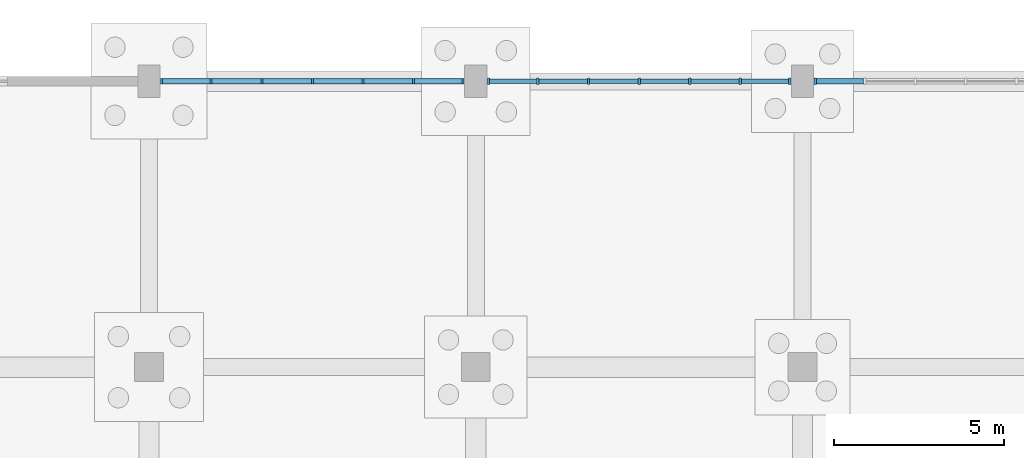
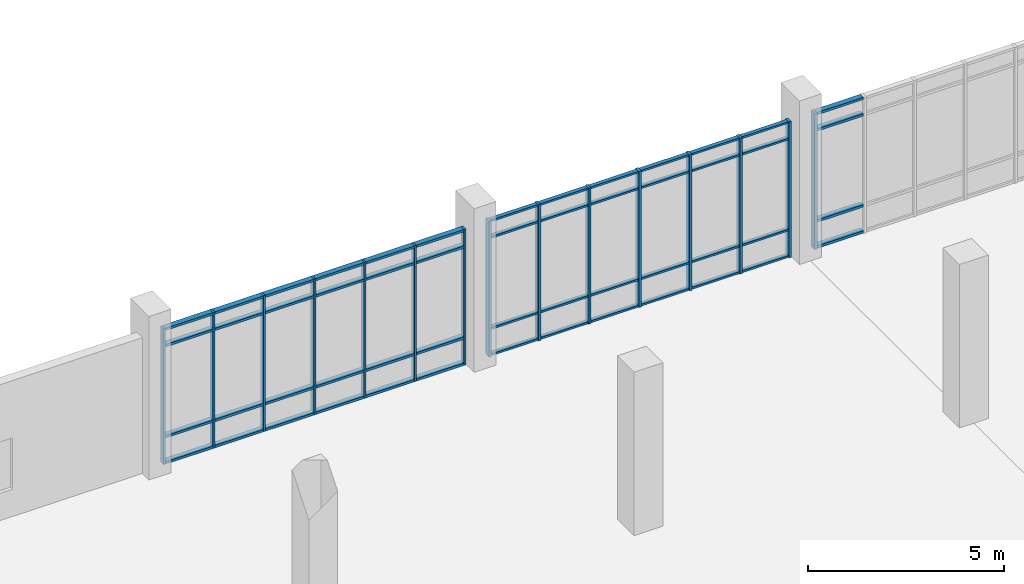
# One storey, part 67 of 136: 67 members, 3 elements without a shape of their own.
"""IFC4 building model written with IfcOpenShell, lengths in metres."""

import ifcopenshell
import ifcopenshell.guid

model = None  # the IFC model being written
_history = None  # IfcOwnerHistory: only IFC2X3 demands one
_inside = {}  # id of a spatial element -> (the spatial element, [elements in it])
_under = {}  # id of a project, library or spatial element -> (it, [spatial elements below it])
_declared = {}  # id of a project -> (the project, [libraries it declares])
_typed = {}  # id of a type object -> (the type object, [elements of that type])
_made_of = {}  # id of a material, layer set ... -> (it, [elements and type objects made of it])


def new_model(schema):
    """Start an empty IFC model of exactly this schema.

    Asked for "IFC4X3", IfcOpenShell would pick the latest addendum, in which some entities
    have other attributes; the version numbers below select the first issue.
    IFC2X3 requires an IfcOwnerHistory on every rooted entity: one is made here for all.
    """
    global model, _history
    if schema == "IFC4X3":
        model = ifcopenshell.file(schema_version=(4, 3, 0, 0))
    else:
        model = ifcopenshell.file(schema=schema)
    _inside.clear()
    _under.clear()
    _declared.clear()
    _typed.clear()
    _made_of.clear()
    _history = None
    if model.schema == "IFC2X3":
        org = make("IfcOrganization", Name="unknown")
        user = make(
            "IfcPersonAndOrganization",
            ThePerson=make("IfcPerson", FamilyName="unknown"),
            TheOrganization=org,
        )
        app = make(
            "IfcApplication",
            ApplicationDeveloper=org,
            Version="unknown",
            ApplicationFullName="unknown",
            ApplicationIdentifier="unknown",
        )
        _history = make(
            "IfcOwnerHistory",
            OwningUser=user,
            OwningApplication=app,
            ChangeAction="ADDED",
            CreationDate=0,
        )
    return model


def make(cls, **values):
    """One entity of the class cls with the attributes given. An attribute that is None is left unset."""
    return model.create_entity(
        cls, **{name: value for name, value in values.items() if value is not None}
    )


def rooted(cls, **values):
    """An entity with a GlobalId (a new one), such as an element, a storey or a relation."""
    return make(cls, GlobalId=ifcopenshell.guid.new(), OwnerHistory=_history, **values)


def si_unit(unit_type, name, prefix=None):
    """IfcSIUnit, for example si_unit("LENGTHUNIT", "METRE", prefix="MILLI")."""
    return make("IfcSIUnit", UnitType=unit_type, Prefix=prefix, Name=name)


def assignment(units):
    """IfcUnitAssignment: the units of a project."""
    return None if units is None else make("IfcUnitAssignment", Units=units)


def point(xyz):
    """IfcCartesianPoint."""
    return None if xyz is None else make("IfcCartesianPoint", Coordinates=xyz)


def direction(xyz):
    """IfcDirection."""
    return None if xyz is None else make("IfcDirection", DirectionRatios=xyz)


def frame(location, z_axis=None, x_axis=None):
    """IfcAxis2Placement3D, a coordinate frame: its origin and axes. An axis left out is left unset."""
    return make(
        "IfcAxis2Placement3D",
        Location=point(location),
        Axis=direction(z_axis),
        RefDirection=direction(x_axis),
    )


def frame_2d(location, x_axis=None):
    """IfcAxis2Placement2D, a coordinate frame in the plane: its origin and x axis."""
    return make(
        "IfcAxis2Placement2D", Location=point(location), RefDirection=direction(x_axis)
    )


def origin():
    """The frame at (0, 0, 0) with its axes left unset."""
    return frame((0.0, 0.0, 0.0))


def origin_2d():
    """The frame at (0, 0) in the plane with its x axis left unset."""
    return frame_2d((0.0, 0.0))


def place(relative_to, where):
    """IfcLocalPlacement: puts the frame where relative to a parent placement (None: the world)."""
    return make(
        "IfcLocalPlacement", PlacementRelTo=relative_to, RelativePlacement=where
    )


def context(
    kind, dimensions, precision=None, world=None, true_north=None, identifier=None
):
    """IfcGeometricRepresentationContext, for example the 3D "Model" context."""
    return make(
        "IfcGeometricRepresentationContext",
        ContextIdentifier=identifier,
        ContextType=kind,
        CoordinateSpaceDimension=dimensions,
        Precision=precision,
        WorldCoordinateSystem=world,
        TrueNorth=true_north,
    )


def subcontext(parent, identifier, kind, view, scale=None):
    """IfcGeometricRepresentationSubContext, for example "Body" below "Model"."""
    return make(
        "IfcGeometricRepresentationSubContext",
        ContextIdentifier=identifier,
        ContextType=kind,
        ParentContext=parent,
        TargetScale=scale,
        TargetView=view,
    )


def project(units=None, contexts=None):
    """IfcProject with its units and contexts."""
    return rooted(
        "IfcProject",
        Name="project",
        RepresentationContexts=contexts,
        UnitsInContext=assignment(units),
    )


def spatial(cls, under=None, at=None, **own):
    """A site, building, storey or space (cls), placed at a placement, below another one or the project."""
    s = rooted(cls, ObjectPlacement=at, **own)
    if under is not None:
        _under.setdefault(under.id(), (under, []))[1].append(s)
    return s


def profile(cls, at=None, kind="AREA", **sizes):
    """A parametric profile (cls). Its sizes go by their IFC names, for example OverallWidth=200.0."""
    return make(cls, ProfileType=kind, Position=at, **sizes)


def rectangle(**sizes):
    """IfcRectangleProfileDef."""
    return profile("IfcRectangleProfileDef", **sizes)


def extrude(swept, where, along, depth):
    """IfcExtrudedAreaSolid: the profile swept, set in the frame where, extruded along a direction by depth."""
    return make(
        "IfcExtrudedAreaSolid",
        SweptArea=swept,
        Position=where,
        ExtrudedDirection=direction(along),
        Depth=depth,
    )


def shape(context_of_items, identifier, shape_type, items):
    """IfcShapeRepresentation: the items that make up one representation, for example the "Body"."""
    return make(
        "IfcShapeRepresentation",
        ContextOfItems=context_of_items,
        RepresentationIdentifier=identifier,
        RepresentationType=shape_type,
        Items=items,
    )


def material(Name=None, Category=None):
    """IfcMaterial."""
    return make("IfcMaterial", Name=Name, Category=Category)


def material_profile(
    of_material, cross_section, Name=None, Category=None, Priority=None
):
    """IfcMaterialProfile: a cross section and its material."""
    return make(
        "IfcMaterialProfile",
        Name=Name,
        Material=of_material,
        Profile=cross_section,
        Priority=Priority,
        Category=Category,
    )


def profile_set(profiles, Name=None, composite=None):
    """IfcMaterialProfileSet."""
    return make(
        "IfcMaterialProfileSet",
        Name=Name,
        MaterialProfiles=profiles,
        CompositeProfile=composite,
    )


def made_of(thing, what):
    """Note that an element or type object is made of a material, layer set ...; save() writes the relation."""
    if what is not None:
        _made_of.setdefault(what.id(), (what, []))[1].append(thing)
    return thing


def type_object(cls, material=None, **own):
    """A type object (cls), such as IfcWallType, which elements share."""
    return made_of(rooted(cls, **own), material)


def element(
    cls,
    number,
    at=None,
    inside=None,
    cuts=None,
    type_object=None,
    material=None,
    context=None,
    identifier="Body",
    shape_type=None,
    held_by="IfcProductDefinitionShape",
    body=None,
    shapes=None,
    **own,
):
    """One element of the class cls, such as IfcWall. Its Tag is "e" and its number.

    at: its placement. inside: the storey or other place that contains it. cuts: it is an
    opening in that element (IfcRelVoidsElement). A single representation is given by context,
    identifier, shape_type and body (its items); several are given by shapes. held_by: the class
    of the entity that holds the representations. save() writes the other relations.
    """
    e = rooted(cls, Tag="e%d" % number, ObjectPlacement=at, **own)
    if body is not None:
        shapes = [shape(context, identifier, shape_type, body)]
    if shapes is not None:
        e.Representation = make(held_by, Representations=shapes)
    if inside is not None:
        _inside.setdefault(inside.id(), (inside, []))[1].append(e)
    if cuts is not None:
        rooted(
            "IfcRelVoidsElement", RelatingBuildingElement=cuts, RelatedOpeningElement=e
        )
    if type_object is not None:
        _typed.setdefault(type_object.id(), (type_object, []))[1].append(e)
    return made_of(e, material)


def aggregate(whole, parts):
    """IfcRelAggregates: a whole, such as a stair, and the parts it consists of."""
    return rooted("IfcRelAggregates", RelatingObject=whole, RelatedObjects=parts)


def save(model, path):
    """Write the relations noted so far, then the file.

    IfcRelAggregates (storeys below a building ...), IfcRelContainedInSpatialStructure (elements
    in a storey), IfcRelDefinesByType, IfcRelAssociatesMaterial and IfcRelDeclares: one each for
    every whole, place, type object, material and project.
    """
    for whole, parts in _under.values():
        aggregate(whole, parts)
    for where, things in _inside.values():
        rooted(
            "IfcRelContainedInSpatialStructure",
            RelatedElements=things,
            RelatingStructure=where,
        )
    for kind, things in _typed.values():
        rooted("IfcRelDefinesByType", RelatedObjects=things, RelatingType=kind)
    for what, things in _made_of.values():
        rooted("IfcRelAssociatesMaterial", RelatedObjects=things, RelatingMaterial=what)
    for by, libraries in _declared.values():
        rooted("IfcRelDeclares", RelatingContext=by, RelatedDefinitions=libraries)
    model.write(path)


model = new_model("IFC4")

# Units and contexts
model_context = context("Model", 3, precision=1e-05, world=origin(), true_north=direction((0.0, 1.0)))
body_context = subcontext(model_context, "Body", "Model", "MODEL_VIEW")
ifc_project = project(units=[si_unit("LENGTHUNIT", "METRE"), si_unit("AREAUNIT", "SQUARE_METRE"), si_unit("VOLUMEUNIT", "CUBIC_METRE"), si_unit("PLANEANGLEUNIT", "RADIAN"), si_unit("MASSUNIT", "GRAM", prefix="KILO")], contexts=[model_context])

# Site, building, storey
site_placement = place(None, origin())
site = spatial("IfcSite", under=ifc_project, at=site_placement, CompositionType="ELEMENT")
building_placement = place(site_placement, origin())
building = spatial("IfcBuilding", under=site, at=building_placement, Name="Oolite Switchyard Hospital", CompositionType="ELEMENT")
storey_placement = place(building_placement, origin())
storey = spatial("IfcBuildingStorey", under=building, at=storey_placement, Name="L00", CompositionType="ELEMENT", Elevation=0.0)

# Curtain wall, members
ifc_material_1 = material(Name="Thermally broken aluminum frame with laminated impact glazing", Category="aluminium")
curtain_wall_type = type_object("IfcCurtainWallType", Name="CW-UNIT-96X51", PredefinedType="USERDEFINED", material=ifc_material_1)
curtain_wall_1_placement = place(storey_placement, origin())
curtain_wall_1 = element("IfcCurtainWall", 1, at=curtain_wall_1_placement, inside=storey, type_object=curtain_wall_type, Name="L00 Unitised Curtain Wall 45", ObjectType="UNITISED", PredefinedType="USERDEFINED")
ifc_material_2 = material(Name="Aluminium 6063-T6", Category="aluminium")
ifc_material_profile_1 = material_profile(ifc_material_2, rectangle(XDim=0.159912109375, YDim=0.06005859375, at=origin_2d()), Name="CWM60X160")
ifc_profile_set_1 = profile_set([ifc_material_profile_1], Name="Aluminium 6063-T6")
member_type_1 = type_object("IfcMemberType", Name="CW-MUL-180", PredefinedType="MULLION", material=ifc_profile_set_1)
member_1_placement = place(storey_placement, frame((9.969970703125, 134.39990234375, 0.0), z_axis=(0.0, 0.0, 1.0), x_axis=(0.0, 1.0, 0.0)))
member_1 = element("IfcMember", 2, at=member_1_placement, type_object=member_type_1, Name="CW-01 mullion 1", PredefinedType="MULLION", context=body_context, shape_type="SweptSolid", body=[
    extrude(rectangle(XDim=0.159912109375, YDim=0.06005859375, at=origin_2d()), origin(), (0.0, 0.0, 1.0), 4.239990234375),
])
member_2_placement = place(storey_placement, frame((11.4267578125, 134.39990234375, 0.0), z_axis=(0.0, 0.0, 1.0), x_axis=(0.0, 1.0, 0.0)))
member_2 = element("IfcMember", 3, at=member_2_placement, type_object=member_type_1, Name="CW-01 mullion 2", PredefinedType="MULLION", context=body_context, shape_type="SweptSolid", body=[
    extrude(rectangle(XDim=0.159912109375, YDim=0.06005859375, at=origin_2d()), origin(), (0.0, 0.0, 1.0), 4.239990234375),
])
member_3_placement = place(storey_placement, frame((12.913330078125, 134.39990234375, 0.0), z_axis=(0.0, 0.0, 1.0), x_axis=(0.0, 1.0, 0.0)))
member_3 = element("IfcMember", 4, at=member_3_placement, type_object=member_type_1, Name="CW-01 mullion 3", PredefinedType="MULLION", context=body_context, shape_type="SweptSolid", body=[
    extrude(rectangle(XDim=0.159912109375, YDim=0.06005859375, at=origin_2d()), origin(), (0.0, 0.0, 1.0), 4.239990234375),
])
member_4_placement = place(storey_placement, frame((14.39990234375, 134.39990234375, 0.0), z_axis=(0.0, 0.0, 1.0), x_axis=(0.0, 1.0, 0.0)))
member_4 = element("IfcMember", 5, at=member_4_placement, type_object=member_type_1, Name="CW-01 mullion 4", PredefinedType="MULLION", context=body_context, shape_type="SweptSolid", body=[
    extrude(rectangle(XDim=0.159912109375, YDim=0.06005859375, at=origin_2d()), origin(), (0.0, 0.0, 1.0), 4.239990234375),
])
member_5_placement = place(storey_placement, frame((15.88671875, 134.39990234375, 0.0), z_axis=(0.0, 0.0, 1.0), x_axis=(0.0, 1.0, 0.0)))
member_5 = element("IfcMember", 6, at=member_5_placement, type_object=member_type_1, Name="CW-01 mullion 5", PredefinedType="MULLION", context=body_context, shape_type="SweptSolid", body=[
    extrude(rectangle(XDim=0.159912109375, YDim=0.06005859375, at=origin_2d()), origin(), (0.0, 0.0, 1.0), 4.239990234375),
])
member_6_placement = place(storey_placement, frame((17.373291015625, 134.39990234375, 0.0), z_axis=(0.0, 0.0, 1.0), x_axis=(0.0, 1.0, 0.0)))
member_6 = element("IfcMember", 7, at=member_6_placement, type_object=member_type_1, Name="CW-01 mullion 6", PredefinedType="MULLION", context=body_context, shape_type="SweptSolid", body=[
    extrude(rectangle(XDim=0.159912109375, YDim=0.06005859375, at=origin_2d()), origin(), (0.0, 0.0, 1.0), 4.239990234375),
])
member_7_placement = place(storey_placement, frame((18.830078125, 134.39990234375, 0.0), z_axis=(0.0, 0.0, 1.0), x_axis=(0.0, 1.0, 0.0)))
member_7 = element("IfcMember", 8, at=member_7_placement, type_object=member_type_1, Name="CW-01 mullion 7", PredefinedType="MULLION", context=body_context, shape_type="SweptSolid", body=[
    extrude(rectangle(XDim=0.159912109375, YDim=0.06005859375, at=origin_2d()), origin(), (0.0, 0.0, 1.0), 4.239990234375),
])

curtain_wall_2_placement = place(storey_placement, origin())
curtain_wall_2 = element("IfcCurtainWall", 9, at=curtain_wall_2_placement, inside=storey, type_object=curtain_wall_type, Name="L00 Unitised Curtain Wall 46", ObjectType="UNITISED", PredefinedType="USERDEFINED")
ifc_material_profile_2 = material_profile(ifc_material_2, rectangle(XDim=0.179931640625, YDim=0.070068359375, at=origin_2d()), Name="CWM70X180")
ifc_profile_set_2 = profile_set([ifc_material_profile_2], Name="Aluminium 6063-T6")
member_type_2 = type_object("IfcMemberType", Name="CW-MUL-220", PredefinedType="MULLION", material=ifc_profile_set_2)
member_8_placement = place(storey_placement, frame((19.574951171875, 134.39990234375, 0.0), z_axis=(0.0, 0.0, 1.0), x_axis=(0.0, 1.0, 0.0)))
member_8 = element("IfcMember", 10, at=member_8_placement, type_object=member_type_2, Name="CW-01 mullion 1", PredefinedType="MULLION", context=body_context, shape_type="SweptSolid", body=[
    extrude(rectangle(XDim=0.179931640625, YDim=0.070068359375, at=origin_2d()), origin(), (0.0, 0.0, 1.0), 4.239990234375),
])
member_9_placement = place(storey_placement, frame((21.026611328125, 134.39990234375, 0.0), z_axis=(0.0, 0.0, 1.0), x_axis=(0.0, 1.0, 0.0)))
member_9 = element("IfcMember", 11, at=member_9_placement, type_object=member_type_2, Name="CW-01 mullion 2", PredefinedType="MULLION", context=body_context, shape_type="SweptSolid", body=[
    extrude(rectangle(XDim=0.179931640625, YDim=0.070068359375, at=origin_2d()), origin(), (0.0, 0.0, 1.0), 4.239990234375),
])
member_10_placement = place(storey_placement, frame((22.513427734375, 134.39990234375, 0.0), z_axis=(0.0, 0.0, 1.0), x_axis=(0.0, 1.0, 0.0)))
member_10 = element("IfcMember", 12, at=member_10_placement, type_object=member_type_2, Name="CW-01 mullion 3", PredefinedType="MULLION", context=body_context, shape_type="SweptSolid", body=[
    extrude(rectangle(XDim=0.179931640625, YDim=0.070068359375, at=origin_2d()), origin(), (0.0, 0.0, 1.0), 4.239990234375),
])
member_11_placement = place(storey_placement, frame((24.0, 134.39990234375, 0.0), z_axis=(0.0, 0.0, 1.0), x_axis=(0.0, 1.0, 0.0)))
member_11 = element("IfcMember", 13, at=member_11_placement, type_object=member_type_2, Name="CW-01 mullion 4", PredefinedType="MULLION", context=body_context, shape_type="SweptSolid", body=[
    extrude(rectangle(XDim=0.179931640625, YDim=0.070068359375, at=origin_2d()), origin(), (0.0, 0.0, 1.0), 4.239990234375),
])
member_12_placement = place(storey_placement, frame((25.486572265625, 134.39990234375, 0.0), z_axis=(0.0, 0.0, 1.0), x_axis=(0.0, 1.0, 0.0)))
member_12 = element("IfcMember", 14, at=member_12_placement, type_object=member_type_2, Name="CW-01 mullion 5", PredefinedType="MULLION", context=body_context, shape_type="SweptSolid", body=[
    extrude(rectangle(XDim=0.179931640625, YDim=0.070068359375, at=origin_2d()), origin(), (0.0, 0.0, 1.0), 4.239990234375),
])
member_13_placement = place(storey_placement, frame((26.973388671875, 134.39990234375, 0.0), z_axis=(0.0, 0.0, 1.0), x_axis=(0.0, 1.0, 0.0)))
member_13 = element("IfcMember", 15, at=member_13_placement, type_object=member_type_2, Name="CW-01 mullion 6", PredefinedType="MULLION", context=body_context, shape_type="SweptSolid", body=[
    extrude(rectangle(XDim=0.179931640625, YDim=0.070068359375, at=origin_2d()), origin(), (0.0, 0.0, 1.0), 4.239990234375),
])
member_14_placement = place(storey_placement, frame((28.425048828125, 134.39990234375, 0.0), z_axis=(0.0, 0.0, 1.0), x_axis=(0.0, 1.0, 0.0)))
member_14 = element("IfcMember", 16, at=member_14_placement, type_object=member_type_2, Name="CW-01 mullion 7", PredefinedType="MULLION", context=body_context, shape_type="SweptSolid", body=[
    extrude(rectangle(XDim=0.179931640625, YDim=0.070068359375, at=origin_2d()), origin(), (0.0, 0.0, 1.0), 4.239990234375),
])

# Curtain wall, member
curtain_wall_3_placement = place(storey_placement, origin())
curtain_wall_3 = element("IfcCurtainWall", 17, at=curtain_wall_3_placement, inside=storey, type_object=curtain_wall_type, Name="L00 Unitised Curtain Wall 47", ObjectType="UNITISED", PredefinedType="USERDEFINED")
ifc_material_profile_3 = material_profile(ifc_material_2, rectangle(XDim=0.199951171875, YDim=0.074951171875, at=origin_2d()), Name="CWM75X200")
ifc_profile_set_3 = profile_set([ifc_material_profile_3], Name="Aluminium 6063-T6")
member_type_3 = type_object("IfcMemberType", Name="CW-MUL-260", PredefinedType="MULLION", material=ifc_profile_set_3)
member_15_placement = place(storey_placement, frame((29.177490234375, 134.39990234375, 0.0), z_axis=(0.0, 0.0, 1.0), x_axis=(0.0, 1.0, 0.0)))
member_15 = element("IfcMember", 18, at=member_15_placement, type_object=member_type_3, Name="CW-01 mullion 1", PredefinedType="MULLION", context=body_context, shape_type="SweptSolid", body=[
    extrude(rectangle(XDim=0.199951171875, YDim=0.074951171875, at=origin_2d()), origin(), (0.0, 0.0, 1.0), 4.239990234375),
])

# Member
ifc_material_profile_4 = material_profile(ifc_material_2, rectangle(XDim=0.1201171875, YDim=0.06005859375, at=origin_2d()), Name="CWT60X120")
ifc_profile_set_4 = profile_set([ifc_material_profile_4], Name="Aluminium 6063-T6")
member_type_4 = type_object("IfcMemberType", Name="CW-TRN-150", PredefinedType="USERDEFINED", material=ifc_profile_set_4)
member_16_placement = place(storey_placement, frame((19.610107421875, 134.39990234375, 0.030029296875), z_axis=(1.0, 0.0, 0.0), x_axis=(0.0, 1.0, 0.0)))
member_16 = element("IfcMember", 19, at=member_16_placement, type_object=member_type_4, Name="CW-01 transom 1.1", ObjectType="TRANSOM", PredefinedType="USERDEFINED", context=body_context, shape_type="SweptSolid", body=[
    extrude(rectangle(XDim=0.1201171875, YDim=0.06005859375, at=origin_2d()), origin(), (0.0, 0.0, 1.0), 1.381591796875),
])

member_17_placement = place(storey_placement, frame((19.610107421875, 134.39990234375, 0.85009765625), z_axis=(1.0, 0.0, 0.0), x_axis=(0.0, 1.0, 0.0)))
member_17 = element("IfcMember", 20, at=member_17_placement, type_object=member_type_4, Name="CW-01 transom 1.2", ObjectType="TRANSOM", PredefinedType="USERDEFINED", context=body_context, shape_type="SweptSolid", body=[
    extrude(rectangle(XDim=0.1201171875, YDim=0.06005859375, at=origin_2d()), origin(), (0.0, 0.0, 1.0), 1.381591796875),
])

member_18_placement = place(storey_placement, frame((19.610107421875, 134.39990234375, 3.68994140625), z_axis=(1.0, 0.0, 0.0), x_axis=(0.0, 1.0, 0.0)))
member_18 = element("IfcMember", 21, at=member_18_placement, type_object=member_type_4, Name="CW-01 transom 1.3", ObjectType="TRANSOM", PredefinedType="USERDEFINED", context=body_context, shape_type="SweptSolid", body=[
    extrude(rectangle(XDim=0.1201171875, YDim=0.06005859375, at=origin_2d()), origin(), (0.0, 0.0, 1.0), 1.381591796875),
])

member_19_placement = place(storey_placement, frame((19.610107421875, 134.39990234375, 4.2099609375), z_axis=(1.0, 0.0, 0.0), x_axis=(0.0, 1.0, 0.0)))
member_19 = element("IfcMember", 22, at=member_19_placement, type_object=member_type_4, Name="CW-01 transom 1.4", ObjectType="TRANSOM", PredefinedType="USERDEFINED", context=body_context, shape_type="SweptSolid", body=[
    extrude(rectangle(XDim=0.1201171875, YDim=0.06005859375, at=origin_2d()), origin(), (0.0, 0.0, 1.0), 1.381591796875),
])

member_20_placement = place(storey_placement, frame((21.061767578125, 134.39990234375, 0.030029296875), z_axis=(1.0, 0.0, 0.0), x_axis=(0.0, 1.0, 0.0)))
member_20 = element("IfcMember", 23, at=member_20_placement, type_object=member_type_4, Name="CW-01 transom 2.1", ObjectType="TRANSOM", PredefinedType="USERDEFINED", context=body_context, shape_type="SweptSolid", body=[
    extrude(rectangle(XDim=0.1201171875, YDim=0.06005859375, at=origin_2d()), origin(), (0.0, 0.0, 1.0), 1.41650390625),
])

member_21_placement = place(storey_placement, frame((21.061767578125, 134.39990234375, 0.85009765625), z_axis=(1.0, 0.0, 0.0), x_axis=(0.0, 1.0, 0.0)))
member_21 = element("IfcMember", 24, at=member_21_placement, type_object=member_type_4, Name="CW-01 transom 2.2", ObjectType="TRANSOM", PredefinedType="USERDEFINED", context=body_context, shape_type="SweptSolid", body=[
    extrude(rectangle(XDim=0.1201171875, YDim=0.06005859375, at=origin_2d()), origin(), (0.0, 0.0, 1.0), 1.41650390625),
])

member_22_placement = place(storey_placement, frame((21.061767578125, 134.39990234375, 3.68994140625), z_axis=(1.0, 0.0, 0.0), x_axis=(0.0, 1.0, 0.0)))
member_22 = element("IfcMember", 25, at=member_22_placement, type_object=member_type_4, Name="CW-01 transom 2.3", ObjectType="TRANSOM", PredefinedType="USERDEFINED", context=body_context, shape_type="SweptSolid", body=[
    extrude(rectangle(XDim=0.1201171875, YDim=0.06005859375, at=origin_2d()), origin(), (0.0, 0.0, 1.0), 1.41650390625),
])

member_23_placement = place(storey_placement, frame((21.061767578125, 134.39990234375, 4.2099609375), z_axis=(1.0, 0.0, 0.0), x_axis=(0.0, 1.0, 0.0)))
member_23 = element("IfcMember", 26, at=member_23_placement, type_object=member_type_4, Name="CW-01 transom 2.4", ObjectType="TRANSOM", PredefinedType="USERDEFINED", context=body_context, shape_type="SweptSolid", body=[
    extrude(rectangle(XDim=0.1201171875, YDim=0.06005859375, at=origin_2d()), origin(), (0.0, 0.0, 1.0), 1.41650390625),
])

member_24_placement = place(storey_placement, frame((22.54833984375, 134.39990234375, 0.030029296875), z_axis=(1.0, 0.0, 0.0), x_axis=(0.0, 1.0, 0.0)))
member_24 = element("IfcMember", 27, at=member_24_placement, type_object=member_type_4, Name="CW-01 transom 3.1", ObjectType="TRANSOM", PredefinedType="USERDEFINED", context=body_context, shape_type="SweptSolid", body=[
    extrude(rectangle(XDim=0.1201171875, YDim=0.06005859375, at=origin_2d()), origin(), (0.0, 0.0, 1.0), 1.416748046875),
])

member_25_placement = place(storey_placement, frame((22.54833984375, 134.39990234375, 0.85009765625), z_axis=(1.0, 0.0, 0.0), x_axis=(0.0, 1.0, 0.0)))
member_25 = element("IfcMember", 28, at=member_25_placement, type_object=member_type_4, Name="CW-01 transom 3.2", ObjectType="TRANSOM", PredefinedType="USERDEFINED", context=body_context, shape_type="SweptSolid", body=[
    extrude(rectangle(XDim=0.1201171875, YDim=0.06005859375, at=origin_2d()), origin(), (0.0, 0.0, 1.0), 1.416748046875),
])

member_26_placement = place(storey_placement, frame((22.54833984375, 134.39990234375, 3.68994140625), z_axis=(1.0, 0.0, 0.0), x_axis=(0.0, 1.0, 0.0)))
member_26 = element("IfcMember", 29, at=member_26_placement, type_object=member_type_4, Name="CW-01 transom 3.3", ObjectType="TRANSOM", PredefinedType="USERDEFINED", context=body_context, shape_type="SweptSolid", body=[
    extrude(rectangle(XDim=0.1201171875, YDim=0.06005859375, at=origin_2d()), origin(), (0.0, 0.0, 1.0), 1.416748046875),
])

member_27_placement = place(storey_placement, frame((22.54833984375, 134.39990234375, 4.2099609375), z_axis=(1.0, 0.0, 0.0), x_axis=(0.0, 1.0, 0.0)))
member_27 = element("IfcMember", 30, at=member_27_placement, type_object=member_type_4, Name="CW-01 transom 3.4", ObjectType="TRANSOM", PredefinedType="USERDEFINED", context=body_context, shape_type="SweptSolid", body=[
    extrude(rectangle(XDim=0.1201171875, YDim=0.06005859375, at=origin_2d()), origin(), (0.0, 0.0, 1.0), 1.416748046875),
])

member_28_placement = place(storey_placement, frame((24.034912109375, 134.39990234375, 0.030029296875), z_axis=(1.0, 0.0, 0.0), x_axis=(0.0, 1.0, 0.0)))
member_28 = element("IfcMember", 31, at=member_28_placement, type_object=member_type_4, Name="CW-01 transom 4.1", ObjectType="TRANSOM", PredefinedType="USERDEFINED", context=body_context, shape_type="SweptSolid", body=[
    extrude(rectangle(XDim=0.1201171875, YDim=0.06005859375, at=origin_2d()), origin(), (0.0, 0.0, 1.0), 1.416748046875),
])

member_29_placement = place(storey_placement, frame((24.034912109375, 134.39990234375, 0.85009765625), z_axis=(1.0, 0.0, 0.0), x_axis=(0.0, 1.0, 0.0)))
member_29 = element("IfcMember", 32, at=member_29_placement, type_object=member_type_4, Name="CW-01 transom 4.2", ObjectType="TRANSOM", PredefinedType="USERDEFINED", context=body_context, shape_type="SweptSolid", body=[
    extrude(rectangle(XDim=0.1201171875, YDim=0.06005859375, at=origin_2d()), origin(), (0.0, 0.0, 1.0), 1.416748046875),
])

member_30_placement = place(storey_placement, frame((24.034912109375, 134.39990234375, 3.68994140625), z_axis=(1.0, 0.0, 0.0), x_axis=(0.0, 1.0, 0.0)))
member_30 = element("IfcMember", 33, at=member_30_placement, type_object=member_type_4, Name="CW-01 transom 4.3", ObjectType="TRANSOM", PredefinedType="USERDEFINED", context=body_context, shape_type="SweptSolid", body=[
    extrude(rectangle(XDim=0.1201171875, YDim=0.06005859375, at=origin_2d()), origin(), (0.0, 0.0, 1.0), 1.416748046875),
])

member_31_placement = place(storey_placement, frame((24.034912109375, 134.39990234375, 4.2099609375), z_axis=(1.0, 0.0, 0.0), x_axis=(0.0, 1.0, 0.0)))
member_31 = element("IfcMember", 34, at=member_31_placement, type_object=member_type_4, Name="CW-01 transom 4.4", ObjectType="TRANSOM", PredefinedType="USERDEFINED", context=body_context, shape_type="SweptSolid", body=[
    extrude(rectangle(XDim=0.1201171875, YDim=0.06005859375, at=origin_2d()), origin(), (0.0, 0.0, 1.0), 1.416748046875),
])

member_32_placement = place(storey_placement, frame((25.521728515625, 134.39990234375, 0.030029296875), z_axis=(1.0, 0.0, 0.0), x_axis=(0.0, 1.0, 0.0)))
member_32 = element("IfcMember", 35, at=member_32_placement, type_object=member_type_4, Name="CW-01 transom 5.1", ObjectType="TRANSOM", PredefinedType="USERDEFINED", context=body_context, shape_type="SweptSolid", body=[
    extrude(rectangle(XDim=0.1201171875, YDim=0.06005859375, at=origin_2d()), origin(), (0.0, 0.0, 1.0), 1.41650390625),
])

member_33_placement = place(storey_placement, frame((25.521728515625, 134.39990234375, 0.85009765625), z_axis=(1.0, 0.0, 0.0), x_axis=(0.0, 1.0, 0.0)))
member_33 = element("IfcMember", 36, at=member_33_placement, type_object=member_type_4, Name="CW-01 transom 5.2", ObjectType="TRANSOM", PredefinedType="USERDEFINED", context=body_context, shape_type="SweptSolid", body=[
    extrude(rectangle(XDim=0.1201171875, YDim=0.06005859375, at=origin_2d()), origin(), (0.0, 0.0, 1.0), 1.41650390625),
])

member_34_placement = place(storey_placement, frame((25.521728515625, 134.39990234375, 3.68994140625), z_axis=(1.0, 0.0, 0.0), x_axis=(0.0, 1.0, 0.0)))
member_34 = element("IfcMember", 37, at=member_34_placement, type_object=member_type_4, Name="CW-01 transom 5.3", ObjectType="TRANSOM", PredefinedType="USERDEFINED", context=body_context, shape_type="SweptSolid", body=[
    extrude(rectangle(XDim=0.1201171875, YDim=0.06005859375, at=origin_2d()), origin(), (0.0, 0.0, 1.0), 1.41650390625),
])

member_35_placement = place(storey_placement, frame((25.521728515625, 134.39990234375, 4.2099609375), z_axis=(1.0, 0.0, 0.0), x_axis=(0.0, 1.0, 0.0)))
member_35 = element("IfcMember", 38, at=member_35_placement, type_object=member_type_4, Name="CW-01 transom 5.4", ObjectType="TRANSOM", PredefinedType="USERDEFINED", context=body_context, shape_type="SweptSolid", body=[
    extrude(rectangle(XDim=0.1201171875, YDim=0.06005859375, at=origin_2d()), origin(), (0.0, 0.0, 1.0), 1.41650390625),
])

member_36_placement = place(storey_placement, frame((27.00830078125, 134.39990234375, 0.030029296875), z_axis=(1.0, 0.0, 0.0), x_axis=(0.0, 1.0, 0.0)))
member_36 = element("IfcMember", 39, at=member_36_placement, type_object=member_type_4, Name="CW-01 transom 6.1", ObjectType="TRANSOM", PredefinedType="USERDEFINED", context=body_context, shape_type="SweptSolid", body=[
    extrude(rectangle(XDim=0.1201171875, YDim=0.06005859375, at=origin_2d()), origin(), (0.0, 0.0, 1.0), 1.381591796875),
])

member_37_placement = place(storey_placement, frame((27.00830078125, 134.39990234375, 0.85009765625), z_axis=(1.0, 0.0, 0.0), x_axis=(0.0, 1.0, 0.0)))
member_37 = element("IfcMember", 40, at=member_37_placement, type_object=member_type_4, Name="CW-01 transom 6.2", ObjectType="TRANSOM", PredefinedType="USERDEFINED", context=body_context, shape_type="SweptSolid", body=[
    extrude(rectangle(XDim=0.1201171875, YDim=0.06005859375, at=origin_2d()), origin(), (0.0, 0.0, 1.0), 1.381591796875),
])

member_38_placement = place(storey_placement, frame((27.00830078125, 134.39990234375, 3.68994140625), z_axis=(1.0, 0.0, 0.0), x_axis=(0.0, 1.0, 0.0)))
member_38 = element("IfcMember", 41, at=member_38_placement, type_object=member_type_4, Name="CW-01 transom 6.3", ObjectType="TRANSOM", PredefinedType="USERDEFINED", context=body_context, shape_type="SweptSolid", body=[
    extrude(rectangle(XDim=0.1201171875, YDim=0.06005859375, at=origin_2d()), origin(), (0.0, 0.0, 1.0), 1.381591796875),
])

member_39_placement = place(storey_placement, frame((27.00830078125, 134.39990234375, 4.2099609375), z_axis=(1.0, 0.0, 0.0), x_axis=(0.0, 1.0, 0.0)))
member_39 = element("IfcMember", 42, at=member_39_placement, type_object=member_type_4, Name="CW-01 transom 6.4", ObjectType="TRANSOM", PredefinedType="USERDEFINED", context=body_context, shape_type="SweptSolid", body=[
    extrude(rectangle(XDim=0.1201171875, YDim=0.06005859375, at=origin_2d()), origin(), (0.0, 0.0, 1.0), 1.381591796875),
])

aggregate(curtain_wall_2, [member_8, member_9, member_10, member_11, member_12, member_13, member_14, member_16, member_17, member_18, member_19, member_20, member_21, member_22, member_23, member_24, member_25, member_26, member_27, member_28, member_29, member_30, member_31, member_32, member_33, member_34, member_35, member_36, member_37, member_38, member_39])

ifc_material_profile_5 = material_profile(ifc_material_2, rectangle(XDim=0.159912109375, YDim=0.074951171875, at=origin_2d()), Name="CWT75X160")
ifc_profile_set_5 = profile_set([ifc_material_profile_5], Name="Aluminium 6063-T6")
member_type_5 = type_object("IfcMemberType", Name="CW-TRN-180", PredefinedType="USERDEFINED", material=ifc_profile_set_5)
member_40_placement = place(storey_placement, frame((10.0, 134.39990234375, 0.03759765625), z_axis=(1.0, 0.0, 0.0), x_axis=(0.0, 1.0, 0.0)))
member_40 = element("IfcMember", 43, at=member_40_placement, type_object=member_type_5, Name="CW-01 transom 1.1", ObjectType="TRANSOM", PredefinedType="USERDEFINED", context=body_context, shape_type="SweptSolid", body=[
    extrude(rectangle(XDim=0.159912109375, YDim=0.074951171875, at=origin_2d()), origin(), (0.0, 0.0, 1.0), 1.396728515625),
])

member_41_placement = place(storey_placement, frame((10.0, 134.39990234375, 0.85009765625), z_axis=(1.0, 0.0, 0.0), x_axis=(0.0, 1.0, 0.0)))
member_41 = element("IfcMember", 44, at=member_41_placement, type_object=member_type_5, Name="CW-01 transom 1.2", ObjectType="TRANSOM", PredefinedType="USERDEFINED", context=body_context, shape_type="SweptSolid", body=[
    extrude(rectangle(XDim=0.159912109375, YDim=0.074951171875, at=origin_2d()), origin(), (0.0, 0.0, 1.0), 1.396728515625),
])

member_42_placement = place(storey_placement, frame((10.0, 134.39990234375, 3.68994140625), z_axis=(1.0, 0.0, 0.0), x_axis=(0.0, 1.0, 0.0)))
member_42 = element("IfcMember", 45, at=member_42_placement, type_object=member_type_5, Name="CW-01 transom 1.3", ObjectType="TRANSOM", PredefinedType="USERDEFINED", context=body_context, shape_type="SweptSolid", body=[
    extrude(rectangle(XDim=0.159912109375, YDim=0.074951171875, at=origin_2d()), origin(), (0.0, 0.0, 1.0), 1.396728515625),
])

member_43_placement = place(storey_placement, frame((10.0, 134.39990234375, 4.202392578125), z_axis=(1.0, 0.0, 0.0), x_axis=(0.0, 1.0, 0.0)))
member_43 = element("IfcMember", 46, at=member_43_placement, type_object=member_type_5, Name="CW-01 transom 1.4", ObjectType="TRANSOM", PredefinedType="USERDEFINED", context=body_context, shape_type="SweptSolid", body=[
    extrude(rectangle(XDim=0.159912109375, YDim=0.074951171875, at=origin_2d()), origin(), (0.0, 0.0, 1.0), 1.396728515625),
])

member_44_placement = place(storey_placement, frame((11.456787109375, 134.39990234375, 0.03759765625), z_axis=(1.0, 0.0, 0.0), x_axis=(0.0, 1.0, 0.0)))
member_44 = element("IfcMember", 47, at=member_44_placement, type_object=member_type_5, Name="CW-01 transom 2.1", ObjectType="TRANSOM", PredefinedType="USERDEFINED", context=body_context, shape_type="SweptSolid", body=[
    extrude(rectangle(XDim=0.159912109375, YDim=0.074951171875, at=origin_2d()), origin(), (0.0, 0.0, 1.0), 1.426513671875),
])

member_45_placement = place(storey_placement, frame((11.456787109375, 134.39990234375, 0.85009765625), z_axis=(1.0, 0.0, 0.0), x_axis=(0.0, 1.0, 0.0)))
member_45 = element("IfcMember", 48, at=member_45_placement, type_object=member_type_5, Name="CW-01 transom 2.2", ObjectType="TRANSOM", PredefinedType="USERDEFINED", context=body_context, shape_type="SweptSolid", body=[
    extrude(rectangle(XDim=0.159912109375, YDim=0.074951171875, at=origin_2d()), origin(), (0.0, 0.0, 1.0), 1.426513671875),
])

member_46_placement = place(storey_placement, frame((11.456787109375, 134.39990234375, 3.68994140625), z_axis=(1.0, 0.0, 0.0), x_axis=(0.0, 1.0, 0.0)))
member_46 = element("IfcMember", 49, at=member_46_placement, type_object=member_type_5, Name="CW-01 transom 2.3", ObjectType="TRANSOM", PredefinedType="USERDEFINED", context=body_context, shape_type="SweptSolid", body=[
    extrude(rectangle(XDim=0.159912109375, YDim=0.074951171875, at=origin_2d()), origin(), (0.0, 0.0, 1.0), 1.426513671875),
])

member_47_placement = place(storey_placement, frame((11.456787109375, 134.39990234375, 4.202392578125), z_axis=(1.0, 0.0, 0.0), x_axis=(0.0, 1.0, 0.0)))
member_47 = element("IfcMember", 50, at=member_47_placement, type_object=member_type_5, Name="CW-01 transom 2.4", ObjectType="TRANSOM", PredefinedType="USERDEFINED", context=body_context, shape_type="SweptSolid", body=[
    extrude(rectangle(XDim=0.159912109375, YDim=0.074951171875, at=origin_2d()), origin(), (0.0, 0.0, 1.0), 1.426513671875),
])

member_48_placement = place(storey_placement, frame((12.943359375, 134.39990234375, 0.03759765625), z_axis=(1.0, 0.0, 0.0), x_axis=(0.0, 1.0, 0.0)))
member_48 = element("IfcMember", 51, at=member_48_placement, type_object=member_type_5, Name="CW-01 transom 3.1", ObjectType="TRANSOM", PredefinedType="USERDEFINED", context=body_context, shape_type="SweptSolid", body=[
    extrude(rectangle(XDim=0.159912109375, YDim=0.074951171875, at=origin_2d()), origin(), (0.0, 0.0, 1.0), 1.4267578125),
])

member_49_placement = place(storey_placement, frame((12.943359375, 134.39990234375, 0.85009765625), z_axis=(1.0, 0.0, 0.0), x_axis=(0.0, 1.0, 0.0)))
member_49 = element("IfcMember", 52, at=member_49_placement, type_object=member_type_5, Name="CW-01 transom 3.2", ObjectType="TRANSOM", PredefinedType="USERDEFINED", context=body_context, shape_type="SweptSolid", body=[
    extrude(rectangle(XDim=0.159912109375, YDim=0.074951171875, at=origin_2d()), origin(), (0.0, 0.0, 1.0), 1.4267578125),
])

member_50_placement = place(storey_placement, frame((12.943359375, 134.39990234375, 3.68994140625), z_axis=(1.0, 0.0, 0.0), x_axis=(0.0, 1.0, 0.0)))
member_50 = element("IfcMember", 53, at=member_50_placement, type_object=member_type_5, Name="CW-01 transom 3.3", ObjectType="TRANSOM", PredefinedType="USERDEFINED", context=body_context, shape_type="SweptSolid", body=[
    extrude(rectangle(XDim=0.159912109375, YDim=0.074951171875, at=origin_2d()), origin(), (0.0, 0.0, 1.0), 1.4267578125),
])

member_51_placement = place(storey_placement, frame((12.943359375, 134.39990234375, 4.202392578125), z_axis=(1.0, 0.0, 0.0), x_axis=(0.0, 1.0, 0.0)))
member_51 = element("IfcMember", 54, at=member_51_placement, type_object=member_type_5, Name="CW-01 transom 3.4", ObjectType="TRANSOM", PredefinedType="USERDEFINED", context=body_context, shape_type="SweptSolid", body=[
    extrude(rectangle(XDim=0.159912109375, YDim=0.074951171875, at=origin_2d()), origin(), (0.0, 0.0, 1.0), 1.4267578125),
])

member_52_placement = place(storey_placement, frame((14.429931640625, 134.39990234375, 0.03759765625), z_axis=(1.0, 0.0, 0.0), x_axis=(0.0, 1.0, 0.0)))
member_52 = element("IfcMember", 55, at=member_52_placement, type_object=member_type_5, Name="CW-01 transom 4.1", ObjectType="TRANSOM", PredefinedType="USERDEFINED", context=body_context, shape_type="SweptSolid", body=[
    extrude(rectangle(XDim=0.159912109375, YDim=0.074951171875, at=origin_2d()), origin(), (0.0, 0.0, 1.0), 1.4267578125),
])

member_53_placement = place(storey_placement, frame((14.429931640625, 134.39990234375, 0.85009765625), z_axis=(1.0, 0.0, 0.0), x_axis=(0.0, 1.0, 0.0)))
member_53 = element("IfcMember", 56, at=member_53_placement, type_object=member_type_5, Name="CW-01 transom 4.2", ObjectType="TRANSOM", PredefinedType="USERDEFINED", context=body_context, shape_type="SweptSolid", body=[
    extrude(rectangle(XDim=0.159912109375, YDim=0.074951171875, at=origin_2d()), origin(), (0.0, 0.0, 1.0), 1.4267578125),
])

member_54_placement = place(storey_placement, frame((14.429931640625, 134.39990234375, 3.68994140625), z_axis=(1.0, 0.0, 0.0), x_axis=(0.0, 1.0, 0.0)))
member_54 = element("IfcMember", 57, at=member_54_placement, type_object=member_type_5, Name="CW-01 transom 4.3", ObjectType="TRANSOM", PredefinedType="USERDEFINED", context=body_context, shape_type="SweptSolid", body=[
    extrude(rectangle(XDim=0.159912109375, YDim=0.074951171875, at=origin_2d()), origin(), (0.0, 0.0, 1.0), 1.4267578125),
])

member_55_placement = place(storey_placement, frame((14.429931640625, 134.39990234375, 4.202392578125), z_axis=(1.0, 0.0, 0.0), x_axis=(0.0, 1.0, 0.0)))
member_55 = element("IfcMember", 58, at=member_55_placement, type_object=member_type_5, Name="CW-01 transom 4.4", ObjectType="TRANSOM", PredefinedType="USERDEFINED", context=body_context, shape_type="SweptSolid", body=[
    extrude(rectangle(XDim=0.159912109375, YDim=0.074951171875, at=origin_2d()), origin(), (0.0, 0.0, 1.0), 1.4267578125),
])

member_56_placement = place(storey_placement, frame((15.916748046875, 134.39990234375, 0.03759765625), z_axis=(1.0, 0.0, 0.0), x_axis=(0.0, 1.0, 0.0)))
member_56 = element("IfcMember", 59, at=member_56_placement, type_object=member_type_5, Name="CW-01 transom 5.1", ObjectType="TRANSOM", PredefinedType="USERDEFINED", context=body_context, shape_type="SweptSolid", body=[
    extrude(rectangle(XDim=0.159912109375, YDim=0.074951171875, at=origin_2d()), origin(), (0.0, 0.0, 1.0), 1.426513671875),
])

member_57_placement = place(storey_placement, frame((15.916748046875, 134.39990234375, 0.85009765625), z_axis=(1.0, 0.0, 0.0), x_axis=(0.0, 1.0, 0.0)))
member_57 = element("IfcMember", 60, at=member_57_placement, type_object=member_type_5, Name="CW-01 transom 5.2", ObjectType="TRANSOM", PredefinedType="USERDEFINED", context=body_context, shape_type="SweptSolid", body=[
    extrude(rectangle(XDim=0.159912109375, YDim=0.074951171875, at=origin_2d()), origin(), (0.0, 0.0, 1.0), 1.426513671875),
])

member_58_placement = place(storey_placement, frame((15.916748046875, 134.39990234375, 3.68994140625), z_axis=(1.0, 0.0, 0.0), x_axis=(0.0, 1.0, 0.0)))
member_58 = element("IfcMember", 61, at=member_58_placement, type_object=member_type_5, Name="CW-01 transom 5.3", ObjectType="TRANSOM", PredefinedType="USERDEFINED", context=body_context, shape_type="SweptSolid", body=[
    extrude(rectangle(XDim=0.159912109375, YDim=0.074951171875, at=origin_2d()), origin(), (0.0, 0.0, 1.0), 1.426513671875),
])

member_59_placement = place(storey_placement, frame((15.916748046875, 134.39990234375, 4.202392578125), z_axis=(1.0, 0.0, 0.0), x_axis=(0.0, 1.0, 0.0)))
member_59 = element("IfcMember", 62, at=member_59_placement, type_object=member_type_5, Name="CW-01 transom 5.4", ObjectType="TRANSOM", PredefinedType="USERDEFINED", context=body_context, shape_type="SweptSolid", body=[
    extrude(rectangle(XDim=0.159912109375, YDim=0.074951171875, at=origin_2d()), origin(), (0.0, 0.0, 1.0), 1.426513671875),
])

member_60_placement = place(storey_placement, frame((17.4033203125, 134.39990234375, 0.03759765625), z_axis=(1.0, 0.0, 0.0), x_axis=(0.0, 1.0, 0.0)))
member_60 = element("IfcMember", 63, at=member_60_placement, type_object=member_type_5, Name="CW-01 transom 6.1", ObjectType="TRANSOM", PredefinedType="USERDEFINED", context=body_context, shape_type="SweptSolid", body=[
    extrude(rectangle(XDim=0.159912109375, YDim=0.074951171875, at=origin_2d()), origin(), (0.0, 0.0, 1.0), 1.396728515625),
])

member_61_placement = place(storey_placement, frame((17.4033203125, 134.39990234375, 0.85009765625), z_axis=(1.0, 0.0, 0.0), x_axis=(0.0, 1.0, 0.0)))
member_61 = element("IfcMember", 64, at=member_61_placement, type_object=member_type_5, Name="CW-01 transom 6.2", ObjectType="TRANSOM", PredefinedType="USERDEFINED", context=body_context, shape_type="SweptSolid", body=[
    extrude(rectangle(XDim=0.159912109375, YDim=0.074951171875, at=origin_2d()), origin(), (0.0, 0.0, 1.0), 1.396728515625),
])

member_62_placement = place(storey_placement, frame((17.4033203125, 134.39990234375, 3.68994140625), z_axis=(1.0, 0.0, 0.0), x_axis=(0.0, 1.0, 0.0)))
member_62 = element("IfcMember", 65, at=member_62_placement, type_object=member_type_5, Name="CW-01 transom 6.3", ObjectType="TRANSOM", PredefinedType="USERDEFINED", context=body_context, shape_type="SweptSolid", body=[
    extrude(rectangle(XDim=0.159912109375, YDim=0.074951171875, at=origin_2d()), origin(), (0.0, 0.0, 1.0), 1.396728515625),
])

member_63_placement = place(storey_placement, frame((17.4033203125, 134.39990234375, 4.202392578125), z_axis=(1.0, 0.0, 0.0), x_axis=(0.0, 1.0, 0.0)))
member_63 = element("IfcMember", 66, at=member_63_placement, type_object=member_type_5, Name="CW-01 transom 6.4", ObjectType="TRANSOM", PredefinedType="USERDEFINED", context=body_context, shape_type="SweptSolid", body=[
    extrude(rectangle(XDim=0.159912109375, YDim=0.074951171875, at=origin_2d()), origin(), (0.0, 0.0, 1.0), 1.396728515625),
])

aggregate(curtain_wall_1, [member_1, member_2, member_3, member_4, member_5, member_6, member_7, member_40, member_41, member_42, member_43, member_44, member_45, member_46, member_47, member_48, member_49, member_50, member_51, member_52, member_53, member_54, member_55, member_56, member_57, member_58, member_59, member_60, member_61, member_62, member_63])

member_64_placement = place(storey_placement, frame((29.215087890625, 134.39990234375, 0.03759765625), z_axis=(1.0, 0.0, 0.0), x_axis=(0.0, 1.0, 0.0)))
member_64 = element("IfcMember", 67, at=member_64_placement, type_object=member_type_5, Name="CW-01 transom 1.1", ObjectType="TRANSOM", PredefinedType="USERDEFINED", context=body_context, shape_type="SweptSolid", body=[
    extrude(rectangle(XDim=0.159912109375, YDim=0.074951171875, at=origin_2d()), origin(), (0.0, 0.0, 1.0), 1.3740234375),
])

member_65_placement = place(storey_placement, frame((29.215087890625, 134.39990234375, 0.85009765625), z_axis=(1.0, 0.0, 0.0), x_axis=(0.0, 1.0, 0.0)))
member_65 = element("IfcMember", 68, at=member_65_placement, type_object=member_type_5, Name="CW-01 transom 1.2", ObjectType="TRANSOM", PredefinedType="USERDEFINED", context=body_context, shape_type="SweptSolid", body=[
    extrude(rectangle(XDim=0.159912109375, YDim=0.074951171875, at=origin_2d()), origin(), (0.0, 0.0, 1.0), 1.3740234375),
])

member_66_placement = place(storey_placement, frame((29.215087890625, 134.39990234375, 3.68994140625), z_axis=(1.0, 0.0, 0.0), x_axis=(0.0, 1.0, 0.0)))
member_66 = element("IfcMember", 69, at=member_66_placement, type_object=member_type_5, Name="CW-01 transom 1.3", ObjectType="TRANSOM", PredefinedType="USERDEFINED", context=body_context, shape_type="SweptSolid", body=[
    extrude(rectangle(XDim=0.159912109375, YDim=0.074951171875, at=origin_2d()), origin(), (0.0, 0.0, 1.0), 1.3740234375),
])

member_67_placement = place(storey_placement, frame((29.215087890625, 134.39990234375, 4.202392578125), z_axis=(1.0, 0.0, 0.0), x_axis=(0.0, 1.0, 0.0)))
member_67 = element("IfcMember", 70, at=member_67_placement, type_object=member_type_5, Name="CW-01 transom 1.4", ObjectType="TRANSOM", PredefinedType="USERDEFINED", context=body_context, shape_type="SweptSolid", body=[
    extrude(rectangle(XDim=0.159912109375, YDim=0.074951171875, at=origin_2d()), origin(), (0.0, 0.0, 1.0), 1.3740234375),
])

aggregate(curtain_wall_3, [member_15, member_64, member_65, member_66, member_67])

save(model, "model.ifc")
